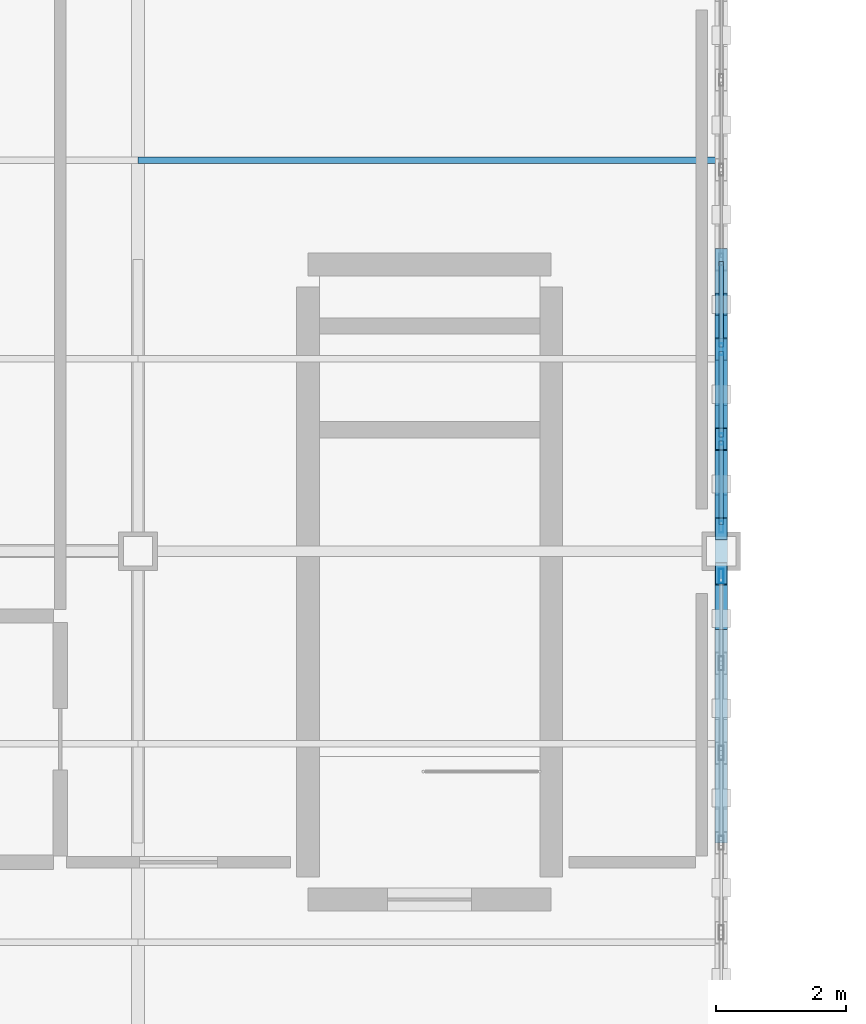
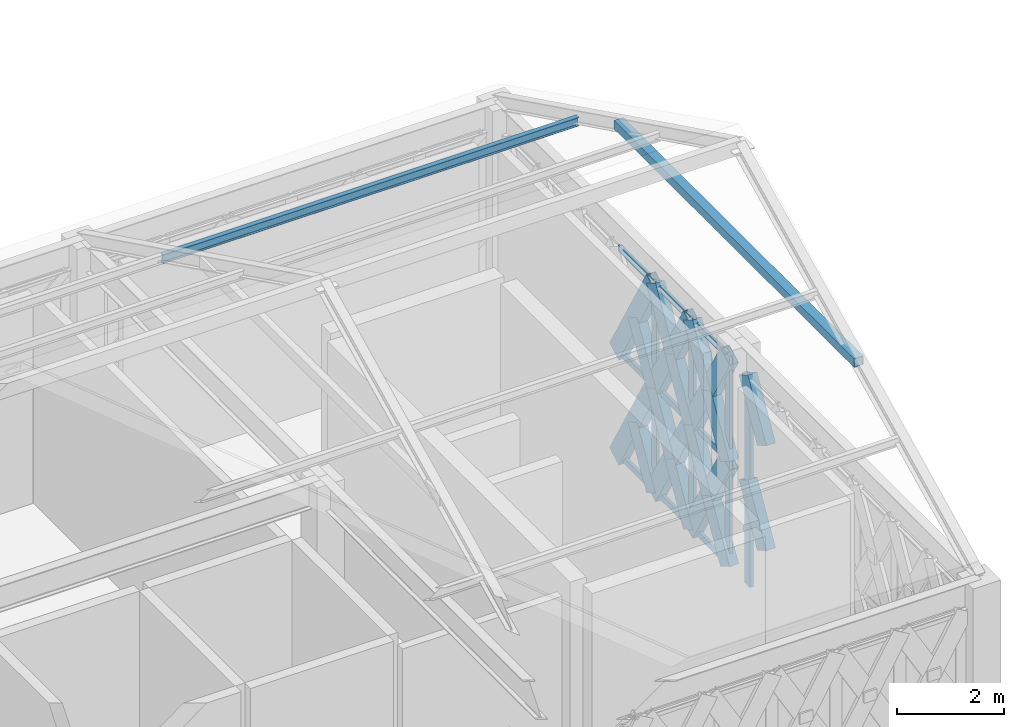
# One storey, part 17 of 32: 33 members, 2 elements without a shape of their own.
"""IFC4 building model written with IfcOpenShell, lengths in metres."""

from ifc_helpers import new_model, si_unit, direction, frame, origin, origin_2d, place, context, subcontext, project, spatial, hollow_rectangle, i_section, extrude, material, material_profile, profile_set, type_object, element, aggregate, save


model = new_model("IFC4")

# Units and contexts
model_context = context("Model", 3, precision=1e-05, world=origin(), true_north=direction((0.0, 1.0)))
body_context = subcontext(model_context, "Body", "Model", "MODEL_VIEW")
ifc_project = project(units=[si_unit("LENGTHUNIT", "METRE"), si_unit("AREAUNIT", "SQUARE_METRE"), si_unit("VOLUMEUNIT", "CUBIC_METRE"), si_unit("PLANEANGLEUNIT", "RADIAN"), si_unit("MASSUNIT", "GRAM", prefix="KILO")], contexts=[model_context])

# Site, building, storey
site_placement = place(None, origin())
site = spatial("IfcSite", under=ifc_project, at=site_placement, CompositionType="ELEMENT")
building_placement = place(site_placement, origin())
building = spatial("IfcBuilding", under=site, at=building_placement, Name="Haizhuo Lancet Aquarium", CompositionType="ELEMENT")
storey_placement = place(building_placement, frame((0.0, 0.0, 27.0)))
storey = spatial("IfcBuildingStorey", under=building, at=storey_placement, Name="L05", CompositionType="ELEMENT", Elevation=27.0)

# Curtain wall, members
ifc_material_1 = material(Name="Aluminium 6063-T6", Category="aluminium")
curtain_wall_type = type_object("IfcCurtainWallType", Name="CWD-8310x4800", PredefinedType="NOTDEFINED", material=ifc_material_1)
curtain_wall_1_placement = place(storey_placement, origin())
curtain_wall_1 = element("IfcCurtainWall", 1, at=curtain_wall_1_placement, inside=storey, type_object=curtain_wall_type, Name="L05 curtain wall CW-V6-L05-265", PredefinedType="NOTDEFINED")
ifc_material_profile_1 = material_profile(ifc_material_1, hollow_rectangle(XDim=0.06494140625, YDim=0.179931640625, WallThickness=0.00390625, at=origin_2d()), Name="ALU-M 65x180x4")
ifc_profile_set_1 = profile_set([ifc_material_profile_1], Name="Aluminium 6063-T6")
member_type_1 = type_object("IfcMemberType", Name="CW-MUL-1", PredefinedType="MULLION", material=ifc_profile_set_1)
member_1_placement = place(storey_placement, frame((-36.0, -14.885009765625, 0.0), z_axis=(0.0, 0.0, 1.0), x_axis=(1.0, 0.0, 0.0)))
member_1 = element("IfcMember", 2, at=member_1_placement, type_object=member_type_1, Name="CWD-83x48 mullion 5", PredefinedType="MULLION", context=body_context, shape_type="SweptSolid", body=[
    extrude(hollow_rectangle(XDim=0.06494140625, YDim=0.179931640625, WallThickness=0.00390625, at=origin_2d()), origin(), (0.0, 0.0, 1.0), 4.800048828125),
])
member_2_placement = place(storey_placement, frame((-36.0, -16.27001953125, 0.0), z_axis=(0.0, 0.0, 1.0), x_axis=(1.0, 0.0, 0.0)))
member_2 = element("IfcMember", 3, at=member_2_placement, type_object=member_type_1, Name="CWD-83x48 mullion 6", PredefinedType="MULLION", context=body_context, shape_type="SweptSolid", body=[
    extrude(hollow_rectangle(XDim=0.06494140625, YDim=0.179931640625, WallThickness=0.00390625, at=origin_2d()), origin(), (0.0, 0.0, 1.0), 4.800048828125),
])
member_3_placement = place(storey_placement, frame((-36.0, -17.623046875, 0.0), z_axis=(0.0, 0.0, 1.0), x_axis=(1.0, 0.0, 0.0)))
member_3 = element("IfcMember", 4, at=member_3_placement, type_object=member_type_1, Name="CWD-83x48 mullion 7", PredefinedType="MULLION", context=body_context, shape_type="SweptSolid", body=[
    extrude(hollow_rectangle(XDim=0.06494140625, YDim=0.179931640625, WallThickness=0.00390625, at=origin_2d()), origin(), (0.0, 0.0, 1.0), 4.800048828125),
])

# Curtain wall, member
curtain_wall_2_placement = place(storey_placement, origin())
curtain_wall_2 = element("IfcCurtainWall", 5, at=curtain_wall_2_placement, inside=storey, type_object=curtain_wall_type, Name="L05 curtain wall CW-V6-L05-266", PredefinedType="NOTDEFINED")
ifc_material_profile_2 = material_profile(ifc_material_1, hollow_rectangle(XDim=0.074951171875, YDim=0.219970703125, WallThickness=0.0048828125, at=origin_2d()), Name="ALU-M 75x220x5")
ifc_profile_set_2 = profile_set([ifc_material_profile_2], Name="Aluminium 6063-T6")
member_type_2 = type_object("IfcMemberType", Name="CW-MUL-2", PredefinedType="MULLION", material=ifc_profile_set_2)
member_4_placement = place(storey_placement, frame((-36.0, -18.383056640625, 0.0), z_axis=(0.0, 0.0, 1.0), x_axis=(1.0, 0.0, 0.0)))
member_4 = element("IfcMember", 6, at=member_4_placement, type_object=member_type_2, Name="CWD-83x48 mullion 1", PredefinedType="MULLION", context=body_context, shape_type="SweptSolid", body=[
    extrude(hollow_rectangle(XDim=0.074951171875, YDim=0.219970703125, WallThickness=0.0048828125, at=origin_2d()), origin(), (0.0, 0.0, 1.0), 4.800048828125),
])
aggregate(curtain_wall_2, [member_4])

# Member
ifc_material_profile_3 = material_profile(ifc_material_1, hollow_rectangle(XDim=0.06494140625, YDim=0.139892578125, WallThickness=0.00390625, at=origin_2d()), Name="ALU-T 65x140x4")
ifc_profile_set_3 = profile_set([ifc_material_profile_3], Name="Aluminium 6063-T6")
member_type_3 = type_object("IfcMemberType", Name="CW-TRN-1", PredefinedType="NOTDEFINED", material=ifc_profile_set_3)
member_5_placement = place(storey_placement, frame((-36.0, -13.532958984375, 0.031982421875), z_axis=(0.0, -1.0, 0.0), x_axis=(1.0, 0.0, 0.0)))
member_5 = element("IfcMember", 7, at=member_5_placement, type_object=member_type_3, Name="CWD-83x48 transom 4.1", ObjectType="TRANSOM", PredefinedType="USERDEFINED", context=body_context, shape_type="SweptSolid", body=[
    extrude(hollow_rectangle(XDim=0.06494140625, YDim=0.139892578125, WallThickness=0.00390625, at=origin_2d()), origin(), (0.0, 0.0, 1.0), 1.320068359375),
])

member_6_placement = place(storey_placement, frame((-36.0, -13.532958984375, 2.39990234375), z_axis=(0.0, -1.0, 0.0), x_axis=(1.0, 0.0, 0.0)))
member_6 = element("IfcMember", 8, at=member_6_placement, type_object=member_type_3, Name="CWD-83x48 transom 4.2", ObjectType="TRANSOM", PredefinedType="USERDEFINED", context=body_context, shape_type="SweptSolid", body=[
    extrude(hollow_rectangle(XDim=0.06494140625, YDim=0.139892578125, WallThickness=0.00390625, at=origin_2d()), origin(), (0.0, 0.0, 1.0), 1.320068359375),
])

member_7_placement = place(storey_placement, frame((-36.0, -13.532958984375, 4.76806640625), z_axis=(0.0, -1.0, 0.0), x_axis=(1.0, 0.0, 0.0)))
member_7 = element("IfcMember", 9, at=member_7_placement, type_object=member_type_3, Name="CWD-83x48 transom 4.3", ObjectType="TRANSOM", PredefinedType="USERDEFINED", context=body_context, shape_type="SweptSolid", body=[
    extrude(hollow_rectangle(XDim=0.06494140625, YDim=0.139892578125, WallThickness=0.00390625, at=origin_2d()), origin(), (0.0, 0.0, 1.0), 1.320068359375),
])

member_8_placement = place(storey_placement, frame((-36.0, -14.91796875, 0.031982421875), z_axis=(0.0, -1.0, 0.0), x_axis=(1.0, 0.0, 0.0)))
member_8 = element("IfcMember", 10, at=member_8_placement, type_object=member_type_3, Name="CWD-83x48 transom 5.1", ObjectType="TRANSOM", PredefinedType="USERDEFINED", context=body_context, shape_type="SweptSolid", body=[
    extrude(hollow_rectangle(XDim=0.06494140625, YDim=0.139892578125, WallThickness=0.00390625, at=origin_2d()), origin(), (0.0, 0.0, 1.0), 1.320068359375),
])

member_9_placement = place(storey_placement, frame((-36.0, -14.91796875, 2.39990234375), z_axis=(0.0, -1.0, 0.0), x_axis=(1.0, 0.0, 0.0)))
member_9 = element("IfcMember", 11, at=member_9_placement, type_object=member_type_3, Name="CWD-83x48 transom 5.2", ObjectType="TRANSOM", PredefinedType="USERDEFINED", context=body_context, shape_type="SweptSolid", body=[
    extrude(hollow_rectangle(XDim=0.06494140625, YDim=0.139892578125, WallThickness=0.00390625, at=origin_2d()), origin(), (0.0, 0.0, 1.0), 1.320068359375),
])

member_10_placement = place(storey_placement, frame((-36.0, -14.91796875, 4.76806640625), z_axis=(0.0, -1.0, 0.0), x_axis=(1.0, 0.0, 0.0)))
member_10 = element("IfcMember", 12, at=member_10_placement, type_object=member_type_3, Name="CWD-83x48 transom 5.3", ObjectType="TRANSOM", PredefinedType="USERDEFINED", context=body_context, shape_type="SweptSolid", body=[
    extrude(hollow_rectangle(XDim=0.06494140625, YDim=0.139892578125, WallThickness=0.00390625, at=origin_2d()), origin(), (0.0, 0.0, 1.0), 1.320068359375),
])

member_11_placement = place(storey_placement, frame((-36.0, -16.302978515625, 0.031982421875), z_axis=(0.0, -1.0, 0.0), x_axis=(1.0, 0.0, 0.0)))
member_11 = element("IfcMember", 13, at=member_11_placement, type_object=member_type_3, Name="CWD-83x48 transom 6.1", ObjectType="TRANSOM", PredefinedType="USERDEFINED", context=body_context, shape_type="SweptSolid", body=[
    extrude(hollow_rectangle(XDim=0.06494140625, YDim=0.139892578125, WallThickness=0.00390625, at=origin_2d()), origin(), (0.0, 0.0, 1.0), 1.287109375),
])

member_12_placement = place(storey_placement, frame((-36.0, -16.302978515625, 2.39990234375), z_axis=(0.0, -1.0, 0.0), x_axis=(1.0, 0.0, 0.0)))
member_12 = element("IfcMember", 14, at=member_12_placement, type_object=member_type_3, Name="CWD-83x48 transom 6.2", ObjectType="TRANSOM", PredefinedType="USERDEFINED", context=body_context, shape_type="SweptSolid", body=[
    extrude(hollow_rectangle(XDim=0.06494140625, YDim=0.139892578125, WallThickness=0.00390625, at=origin_2d()), origin(), (0.0, 0.0, 1.0), 1.287109375),
])

member_13_placement = place(storey_placement, frame((-36.0, -16.302978515625, 4.76806640625), z_axis=(0.0, -1.0, 0.0), x_axis=(1.0, 0.0, 0.0)))
member_13 = element("IfcMember", 15, at=member_13_placement, type_object=member_type_3, Name="CWD-83x48 transom 6.3", ObjectType="TRANSOM", PredefinedType="USERDEFINED", context=body_context, shape_type="SweptSolid", body=[
    extrude(hollow_rectangle(XDim=0.06494140625, YDim=0.139892578125, WallThickness=0.00390625, at=origin_2d()), origin(), (0.0, 0.0, 1.0), 1.287109375),
])

aggregate(curtain_wall_1, [member_1, member_2, member_3, member_5, member_6, member_7, member_8, member_9, member_10, member_11, member_12, member_13])

# Members
ifc_material_2 = material(Name="Steel S355", Category="steel")
ifc_material_profile_4 = material_profile(ifc_material_2, hollow_rectangle(XDim=0.199951171875, YDim=0.199951171875, WallThickness=0.010009765625, at=origin_2d()), Name="SHS 200x200x10")
ifc_profile_set_4 = profile_set([ifc_material_profile_4], Name="Steel S355")
member_type_4 = type_object("IfcMemberType", Name="MEM-CL-SHS200", PredefinedType="COLLAR", material=ifc_profile_set_4)
member_14_placement = place(storey_placement, frame((-36.0, -22.5, 7.5869140625), z_axis=(0.0, 1.0, 0.0), x_axis=(-1.0, 0.0, 0.0)))
element("IfcMember", 16, at=member_14_placement, inside=storey, type_object=member_type_4, Name="V6 Gothic roof collar tie 5", PredefinedType="COLLAR", context=body_context, shape_type="SweptSolid", body=[
    extrude(hollow_rectangle(XDim=0.199951171875, YDim=0.199951171875, WallThickness=0.010009765625, at=origin_2d()), origin(), (0.0, 0.0, 1.0), 9.0),
])
ifc_material_profile_5 = material_profile(ifc_material_2, hollow_rectangle(XDim=0.199951171875, YDim=0.39990234375, WallThickness=0.011962890625, at=origin_2d()), Name="RHS 200x400x12")
ifc_profile_set_5 = profile_set([ifc_material_profile_5], Name="Steel S355")
member_type_5 = type_object("IfcMemberType", Name="MEM-LB-RHS200x400", PredefinedType="BRACE", material=ifc_profile_set_5)
member_15_placement = place(storey_placement, frame((-36.0, -13.5, 0.0), z_axis=(0.0, -0.499844491261, 0.866115168182), x_axis=(1.0, 0.0, 0.0)))
element("IfcMember", 17, at=member_15_placement, inside=storey, type_object=member_type_5, Name="Gothic lancet continuous diagonal brace CW-V6-L05-265 7A", PredefinedType="BRACE", context=body_context, shape_type="SweptSolid", body=[
    extrude(hollow_rectangle(XDim=0.199951171875, YDim=0.39990234375, WallThickness=0.011962890625, at=origin_2d()), origin(), (0.0, 0.0, 1.0), 2.77099609375),
])
member_16_placement = place(storey_placement, frame((-36.0, -14.885009765625, 0.0), z_axis=(0.0, 0.500174860769, 0.865924424332), x_axis=(-1.0, 0.0, 0.0)))
element("IfcMember", 18, at=member_16_placement, inside=storey, type_object=member_type_5, Name="Gothic lancet split diagonal brace CW-V6-L05-265 7B1", PredefinedType="BRACE", context=body_context, shape_type="SweptSolid", body=[
    extrude(hollow_rectangle(XDim=0.199951171875, YDim=0.39990234375, WallThickness=0.011962890625, at=origin_2d()), origin(), (0.0, 0.0, 1.0), 1.3857421875),
])
member_17_placement = place(storey_placement, frame((-36.0, -13.5, 2.39990234375), z_axis=(0.0, -0.499806349121, 0.866137179307), x_axis=(1.0, 0.0, 0.0)))
element("IfcMember", 19, at=member_17_placement, inside=storey, type_object=member_type_5, Name="Gothic lancet continuous diagonal brace CW-V6-L05-265 8A", PredefinedType="BRACE", context=body_context, shape_type="SweptSolid", body=[
    extrude(hollow_rectangle(XDim=0.199951171875, YDim=0.39990234375, WallThickness=0.011962890625, at=origin_2d()), origin(), (0.0, 0.0, 1.0), 2.77099609375),
])
member_18_placement = place(storey_placement, frame((-36.0, -14.885009765625, 2.39990234375), z_axis=(0.0, 0.500098564532, 0.865968490046), x_axis=(-1.0, 0.0, 0.0)))
element("IfcMember", 20, at=member_18_placement, inside=storey, type_object=member_type_5, Name="Gothic lancet split diagonal brace CW-V6-L05-265 8B1", PredefinedType="BRACE", context=body_context, shape_type="SweptSolid", body=[
    extrude(hollow_rectangle(XDim=0.199951171875, YDim=0.39990234375, WallThickness=0.011962890625, at=origin_2d()), origin(), (0.0, 0.0, 1.0), 1.385986328125),
])
member_19_placement = place(storey_placement, frame((-36.0, -14.885009765625, 0.0), z_axis=(0.0, -0.499844491261, 0.866115168182), x_axis=(1.0, 0.0, 0.0)))
element("IfcMember", 21, at=member_19_placement, inside=storey, type_object=member_type_5, Name="Gothic lancet continuous diagonal brace CW-V6-L05-265 9A", PredefinedType="BRACE", context=body_context, shape_type="SweptSolid", body=[
    extrude(hollow_rectangle(XDim=0.199951171875, YDim=0.39990234375, WallThickness=0.011962890625, at=origin_2d()), origin(), (0.0, 0.0, 1.0), 2.77099609375),
])
member_20_placement = place(storey_placement, frame((-36.0, -16.27001953125, 0.0), z_axis=(0.0, 0.499646164767, 0.866229594296), x_axis=(-1.0, 0.0, 0.0)))
element("IfcMember", 22, at=member_20_placement, inside=storey, type_object=member_type_5, Name="Gothic lancet split diagonal brace CW-V6-L05-265 9B1", PredefinedType="BRACE", context=body_context, shape_type="SweptSolid", body=[
    extrude(hollow_rectangle(XDim=0.199951171875, YDim=0.39990234375, WallThickness=0.011962890625, at=origin_2d()), origin(), (0.0, 0.0, 1.0), 1.38525390625),
])
member_21_placement = place(storey_placement, frame((-36.0, -15.577880859375, 1.199951171875), z_axis=(0.0, 0.500042739161, 0.866000726912), x_axis=(-1.0, 0.0, 0.0)))
element("IfcMember", 23, at=member_21_placement, inside=storey, type_object=member_type_5, Name="Gothic lancet split diagonal brace CW-V6-L05-265 9B2", PredefinedType="BRACE", context=body_context, shape_type="SweptSolid", body=[
    extrude(hollow_rectangle(XDim=0.199951171875, YDim=0.39990234375, WallThickness=0.011962890625, at=origin_2d()), origin(), (0.0, 0.0, 1.0), 1.3857421875),
])
member_22_placement = place(storey_placement, frame((-36.0, -14.885009765625, 2.39990234375), z_axis=(0.0, -0.499806349121, 0.866137179307), x_axis=(1.0, 0.0, 0.0)))
element("IfcMember", 24, at=member_22_placement, inside=storey, type_object=member_type_5, Name="Gothic lancet continuous diagonal brace CW-V6-L05-265 10A", PredefinedType="BRACE", context=body_context, shape_type="SweptSolid", body=[
    extrude(hollow_rectangle(XDim=0.199951171875, YDim=0.39990234375, WallThickness=0.011962890625, at=origin_2d()), origin(), (0.0, 0.0, 1.0), 2.77099609375),
])
member_23_placement = place(storey_placement, frame((-36.0, -16.27001953125, 2.39990234375), z_axis=(0.0, 0.49956989546, 0.866273582392), x_axis=(-1.0, 0.0, 0.0)))
element("IfcMember", 25, at=member_23_placement, inside=storey, type_object=member_type_5, Name="Gothic lancet split diagonal brace CW-V6-L05-265 10B1", PredefinedType="BRACE", context=body_context, shape_type="SweptSolid", body=[
    extrude(hollow_rectangle(XDim=0.199951171875, YDim=0.39990234375, WallThickness=0.011962890625, at=origin_2d()), origin(), (0.0, 0.0, 1.0), 1.385498046875),
])
member_24_placement = place(storey_placement, frame((-36.0, -15.577880859375, 3.60009765625), z_axis=(0.0, 0.500042739161, 0.866000726912), x_axis=(-1.0, 0.0, 0.0)))
element("IfcMember", 26, at=member_24_placement, inside=storey, type_object=member_type_5, Name="Gothic lancet split diagonal brace CW-V6-L05-265 10B2", PredefinedType="BRACE", context=body_context, shape_type="SweptSolid", body=[
    extrude(hollow_rectangle(XDim=0.199951171875, YDim=0.39990234375, WallThickness=0.011962890625, at=origin_2d()), origin(), (0.0, 0.0, 1.0), 1.3857421875),
])
member_25_placement = place(storey_placement, frame((-36.0, -16.27001953125, 0.0), z_axis=(0.0, -0.499844491261, 0.866115168182), x_axis=(1.0, 0.0, 0.0)))
element("IfcMember", 27, at=member_25_placement, inside=storey, type_object=member_type_5, Name="Gothic lancet continuous diagonal brace CW-V6-L05-265 11A", PredefinedType="BRACE", context=body_context, shape_type="SweptSolid", body=[
    extrude(hollow_rectangle(XDim=0.199951171875, YDim=0.39990234375, WallThickness=0.011962890625, at=origin_2d()), origin(), (0.0, 0.0, 1.0), 2.77099609375),
])
member_26_placement = place(storey_placement, frame((-36.0, -17.655029296875, 0.0), z_axis=(0.0, 0.500174860769, 0.865924424332), x_axis=(-1.0, 0.0, 0.0)))
element("IfcMember", 28, at=member_26_placement, inside=storey, type_object=member_type_5, Name="Gothic lancet split diagonal brace CW-V6-L05-265 11B1", PredefinedType="BRACE", context=body_context, shape_type="SweptSolid", body=[
    extrude(hollow_rectangle(XDim=0.199951171875, YDim=0.39990234375, WallThickness=0.011962890625, at=origin_2d()), origin(), (0.0, 0.0, 1.0), 1.3857421875),
])
member_27_placement = place(storey_placement, frame((-36.0, -16.9619140625, 1.199951171875), z_axis=(0.0, 0.499513903435, 0.86630586993), x_axis=(-1.0, 0.0, 0.0)))
element("IfcMember", 29, at=member_27_placement, inside=storey, type_object=member_type_5, Name="Gothic lancet split diagonal brace CW-V6-L05-265 11B2", PredefinedType="BRACE", context=body_context, shape_type="SweptSolid", body=[
    extrude(hollow_rectangle(XDim=0.199951171875, YDim=0.39990234375, WallThickness=0.011962890625, at=origin_2d()), origin(), (0.0, 0.0, 1.0), 1.38525390625),
])
member_28_placement = place(storey_placement, frame((-36.0, -16.27001953125, 2.39990234375), z_axis=(0.0, -0.499806349121, 0.866137179307), x_axis=(1.0, 0.0, 0.0)))
element("IfcMember", 30, at=member_28_placement, inside=storey, type_object=member_type_5, Name="Gothic lancet continuous diagonal brace CW-V6-L05-265 12A", PredefinedType="BRACE", context=body_context, shape_type="SweptSolid", body=[
    extrude(hollow_rectangle(XDim=0.199951171875, YDim=0.39990234375, WallThickness=0.011962890625, at=origin_2d()), origin(), (0.0, 0.0, 1.0), 2.77099609375),
])
member_29_placement = place(storey_placement, frame((-36.0, -17.655029296875, 2.39990234375), z_axis=(0.0, 0.500098564532, 0.865968490046), x_axis=(-1.0, 0.0, 0.0)))
element("IfcMember", 31, at=member_29_placement, inside=storey, type_object=member_type_5, Name="Gothic lancet split diagonal brace CW-V6-L05-265 12B1", PredefinedType="BRACE", context=body_context, shape_type="SweptSolid", body=[
    extrude(hollow_rectangle(XDim=0.199951171875, YDim=0.39990234375, WallThickness=0.011962890625, at=origin_2d()), origin(), (0.0, 0.0, 1.0), 1.385986328125),
])
member_30_placement = place(storey_placement, frame((-36.0, -16.9619140625, 3.60009765625), z_axis=(0.0, 0.499513903435, 0.86630586993), x_axis=(-1.0, 0.0, 0.0)))
element("IfcMember", 32, at=member_30_placement, inside=storey, type_object=member_type_5, Name="Gothic lancet split diagonal brace CW-V6-L05-265 12B2", PredefinedType="BRACE", context=body_context, shape_type="SweptSolid", body=[
    extrude(hollow_rectangle(XDim=0.199951171875, YDim=0.39990234375, WallThickness=0.011962890625, at=origin_2d()), origin(), (0.0, 0.0, 1.0), 1.38525390625),
])
for number, where, z_axis, x_axis, name in (
    (33, (-36.0, -19.0380859375, 1.199951171875), (0.0, 0.500174860769, 0.865924424332), (-1.0, 0.0, 0.0), "Gothic lancet split diagonal brace CW-V6-L05-266 1B2"),
    (34, (-36.0, -19.0380859375, 3.60009765625), (0.0, 0.500174860769, 0.865924424332), (-1.0, 0.0, 0.0), "Gothic lancet split diagonal brace CW-V6-L05-266 2B2"),
):
    element("IfcMember", number, at=place(storey_placement, frame(where, z_axis=z_axis, x_axis=x_axis)), inside=storey, type_object=member_type_5, Name=name, PredefinedType="BRACE", context=body_context, shape_type="SweptSolid", body=[
        extrude(hollow_rectangle(XDim=0.199951171875, YDim=0.39990234375, WallThickness=0.011962890625, at=origin_2d()), origin(), (0.0, 0.0, 1.0), 1.3857421875),
    ])
ifc_material_profile_6 = material_profile(ifc_material_2, i_section(OverallWidth=0.10009765625, OverallDepth=0.199951171875, WebThickness=0.005615234375, FlangeThickness=0.008056640625, FilletRadius=0.008056640625, at=origin_2d()), Name="HN 200x100x5.5x8")
ifc_profile_set_6 = profile_set([ifc_material_profile_6], Name="Steel S355")
member_type_6 = type_object("IfcMemberType", Name="MEM-PR-HN200", PredefinedType="PURLIN", material=ifc_profile_set_6)
member_31_placement = place(storey_placement, frame((-45.0, -11.969970703125, 6.72412109375), z_axis=(1.0, 0.0, 0.0), x_axis=(0.0, 1.0, 0.0)))
element("IfcMember", 35, at=member_31_placement, inside=storey, type_object=member_type_6, Name="V6 north roof purlin 4", PredefinedType="PURLIN", context=body_context, shape_type="SweptSolid", body=[
    extrude(i_section(OverallWidth=0.10009765625, OverallDepth=0.199951171875, WebThickness=0.005615234375, FlangeThickness=0.008056640625, FilletRadius=0.008056640625, at=origin_2d()), origin(), (0.0, 0.0, 1.0), 9.0),
])

save(model, "model.ifc")
